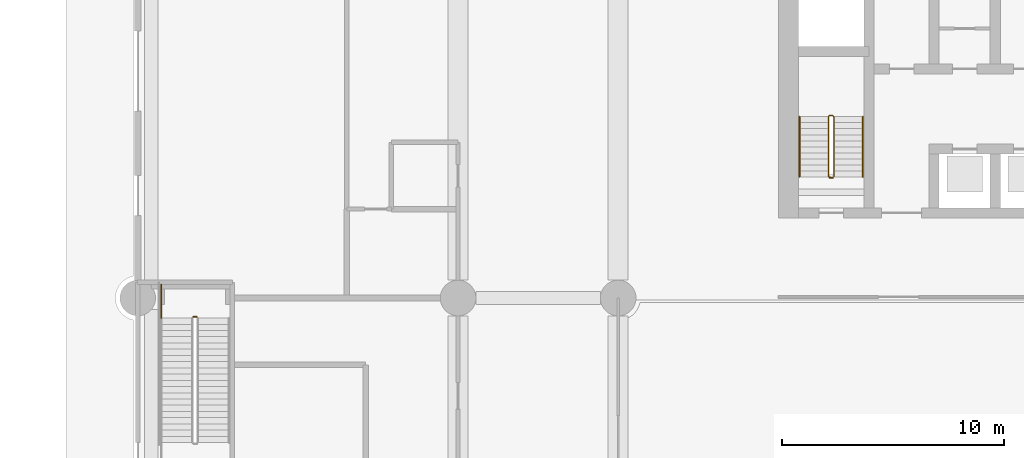
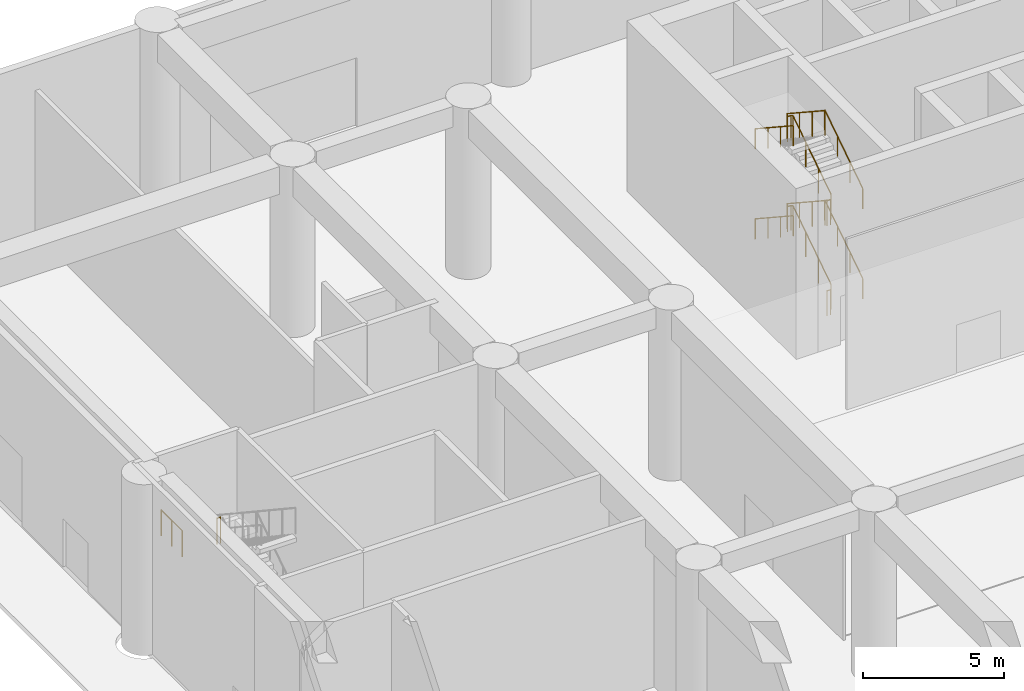
# One storey, part 29 of 32: 9 railings.
"""IFC4 building model written with IfcOpenShell, lengths in metres."""

from ifc_helpers import new_model, si_unit, direction, frame, origin, origin_2d, place, context, subcontext, project, spatial, circle, extrude, material, type_object, element, save


model = new_model("IFC4")

# Units and contexts
model_context = context("Model", 3, precision=1e-05, world=origin(), true_north=direction((0.0, 1.0)))
body_context = subcontext(model_context, "Body", "Model", "MODEL_VIEW")
ifc_project = project(units=[si_unit("LENGTHUNIT", "METRE"), si_unit("AREAUNIT", "SQUARE_METRE"), si_unit("VOLUMEUNIT", "CUBIC_METRE"), si_unit("PLANEANGLEUNIT", "RADIAN"), si_unit("MASSUNIT", "GRAM", prefix="KILO")], contexts=[model_context])

# Site, building, storey
site_placement = place(None, origin())
site = spatial("IfcSite", under=ifc_project, at=site_placement, CompositionType="ELEMENT")
building_placement = place(site_placement, origin())
building = spatial("IfcBuilding", under=site, at=building_placement, Name="Saffron Iwan Residences", CompositionType="ELEMENT")
storey_placement = place(building_placement, origin())
storey = spatial("IfcBuildingStorey", under=building, at=storey_placement, Name="L00", CompositionType="ELEMENT", Elevation=0.0)

# Railings
ifc_material_1 = material(Name="Steel S355", Category="steel")
railing_type_1 = type_object("IfcRailingType", Name="Podium stair guard 1150", PredefinedType="GUARDRAIL", material=ifc_material_1)
railing_1_placement = place(storey_placement, frame((2.64990234375, 61.550048828125, 3.89990234375)))
element("IfcRailing", 1, at=railing_1_placement, inside=storey, type_object=railing_type_1, Name="L00 PS3 stair guard 2", PredefinedType="GUARDRAIL", context=body_context, shape_type="SweptSolid", body=[
    extrude(circle(Radius=0.02392578125, at=origin_2d()), frame((0.0, 0.0, 1.1259765625), z_axis=(-1.0, 0.0, 0.0), x_axis=(0.0, -1.0, 0.0)), (0.0, 0.0, 1.0), 0.14990234375),
    extrude(circle(Radius=0.02099609375, at=origin_2d()), origin(), (0.0, 0.0, 1.0), 1.101806640625),
    extrude(circle(Radius=0.02099609375, at=origin_2d()), frame((-0.14990234375, 0.0, 0.0)), (0.0, 0.0, 1.0), 1.101806640625),
])
railing_2_placement = place(storey_placement, frame((1.050048828125, 61.5, 3.89990234375)))
element("IfcRailing", 2, at=railing_2_placement, inside=storey, type_object=railing_type_1, Name="L00 PS3 stair guard 3", PredefinedType="GUARDRAIL", context=body_context, shape_type="SweptSolid", body=[
    extrude(circle(Radius=0.02392578125, at=origin_2d()), frame((0.0, 0.0, 1.1259765625), z_axis=(0.0, 1.0, 0.0), x_axis=(-1.0, 0.0, 0.0)), (0.0, 0.0, 1.0), 1.5),
    extrude(circle(Radius=0.02099609375, at=origin_2d()), origin(), (0.0, 0.0, 1.0), 1.101806640625),
    extrude(circle(Radius=0.02099609375, at=origin_2d()), frame((0.0, 0.75, 0.0)), (0.0, 0.0, 1.0), 1.101806640625),
    extrude(circle(Radius=0.02099609375, at=origin_2d()), frame((0.0, 1.5, 0.0)), (0.0, 0.0, 1.0), 1.101806640625),
])
railing_type_2 = type_object("IfcRailingType", Name="Stair guard 1100", PredefinedType="GUARDRAIL", material=ifc_material_1)
railing_3_placement = place(storey_placement, frame((31.300048828125, 67.85009765625, 0.17724609375)))
element("IfcRailing", 3, at=railing_3_placement, inside=storey, type_object=railing_type_2, Name="L00 ST-W stair guard 1", PredefinedType="GUARDRAIL", context=body_context, shape_type="SweptSolid", body=[
    extrude(circle(Radius=0.02392578125, at=origin_2d()), frame((0.0, 0.0, 1.076171875), z_axis=(0.0, 0.835925453266, 0.548842998116), x_axis=(-1.0, 0.0, 0.0)), (0.0, 0.0, 1.0), 3.22998046875),
    extrude(circle(Radius=0.02392578125, at=origin_2d()), frame((0.0, 2.699951171875, 2.8486328125), z_axis=(-0.707106781187, 0.707106781187, 0.0), x_axis=(-0.707106781187, -0.707106781187, 0.0)), (0.0, 0.0, 1.0), 0.07080078125),
    extrude(circle(Radius=0.02392578125, at=origin_2d()), frame((-0.050048828125, 2.75, 2.8486328125), z_axis=(-1.0, 0.0, 0.0), x_axis=(0.0, -1.0, 0.0)), (0.0, 0.0, 1.0), 0.14990234375),
    extrude(circle(Radius=0.02392578125, at=origin_2d()), frame((-0.199951171875, 2.75, 2.8486328125), z_axis=(-0.262233686654, -0.262233686654, 0.928691007369), x_axis=(0.707106781187, -0.707106781187, 0.0)), (0.0, 0.0, 1.0), 0.19091796875),
    extrude(circle(Radius=0.02392578125, at=origin_2d()), frame((-0.25, 2.699951171875, 3.02587890625), z_axis=(0.0, -0.835925453266, 0.548842998116), x_axis=(1.0, 0.0, 0.0)), (0.0, 0.0, 1.0), 3.22998046875),
    extrude(circle(Radius=0.02392578125, at=origin_2d()), frame((-0.25, 0.0, 4.798828125), z_axis=(0.970072785993, -0.242814311512, 0.0), x_axis=(0.242814311512, 0.970072785993, 0.0)), (0.0, 0.0, 1.0), 0.2060546875),
    extrude(circle(Radius=0.02392578125, at=origin_2d()), frame((-0.050048828125, -0.050048828125, 4.798828125), z_axis=(-1.0, 0.0, 0.0), x_axis=(0.0, -1.0, 0.0)), (0.0, 0.0, 1.0), 0.14990234375),
    extrude(circle(Radius=0.02099609375, at=origin_2d()), origin(), (0.0, 0.0, 1.0), 1.052001953125),
    extrude(circle(Radius=0.02099609375, at=origin_2d()), frame((0.0, 0.89990234375, 0.5908203125)), (0.0, 0.0, 1.0), 1.052001953125),
    extrude(circle(Radius=0.02099609375, at=origin_2d()), frame((0.0, 1.800048828125, 1.181884765625)), (0.0, 0.0, 1.0), 1.052001953125),
    extrude(circle(Radius=0.02099609375, at=origin_2d()), frame((0.0, 2.699951171875, 1.772705078125)), (0.0, 0.0, 1.0), 1.052001953125),
    extrude(circle(Radius=0.02099609375, at=origin_2d()), frame((-0.050048828125, 2.75, 1.772705078125)), (0.0, 0.0, 1.0), 1.052001953125),
    extrude(circle(Radius=0.02099609375, at=origin_2d()), frame((-0.199951171875, 2.75, 1.772705078125)), (0.0, 0.0, 1.0), 1.052001953125),
    extrude(circle(Radius=0.02099609375, at=origin_2d()), frame((-0.25, 2.699951171875, 1.949951171875)), (0.0, 0.0, 1.0), 1.052001953125),
    extrude(circle(Radius=0.02099609375, at=origin_2d()), frame((-0.25, 1.800048828125, 2.540771484375)), (0.0, 0.0, 1.0), 1.052001953125),
    extrude(circle(Radius=0.02099609375, at=origin_2d()), frame((-0.25, 0.89990234375, 3.1318359375)), (0.0, 0.0, 1.0), 1.052001953125),
    extrude(circle(Radius=0.02099609375, at=origin_2d()), frame((-0.25, 0.0, 3.72265625)), (0.0, 0.0, 1.0), 1.052001953125),
    extrude(circle(Radius=0.02099609375, at=origin_2d()), frame((-0.050048828125, -0.050048828125, 3.72265625)), (0.0, 0.0, 1.0), 1.052001953125),
    extrude(circle(Radius=0.02099609375, at=origin_2d()), frame((-0.199951171875, -0.050048828125, 3.72265625)), (0.0, 0.0, 1.0), 1.052001953125),
])
railing_4_placement = place(storey_placement, frame((31.300048828125, 67.85009765625, 4.077392578125)))
element("IfcRailing", 4, at=railing_4_placement, inside=storey, type_object=railing_type_2, Name="L00 ST-W stair guard 2", PredefinedType="GUARDRAIL", context=body_context, shape_type="SweptSolid", body=[
    extrude(circle(Radius=0.02392578125, at=origin_2d()), frame((0.0, 0.0, 1.076171875), z_axis=(0.0, 0.835925453266, 0.548842998116), x_axis=(-1.0, 0.0, 0.0)), (0.0, 0.0, 1.0), 3.22998046875),
    extrude(circle(Radius=0.02392578125, at=origin_2d()), frame((0.0, 2.699951171875, 2.8486328125), z_axis=(-0.707106781187, 0.707106781187, 0.0), x_axis=(-0.707106781187, -0.707106781187, 0.0)), (0.0, 0.0, 1.0), 0.07080078125),
    extrude(circle(Radius=0.02392578125, at=origin_2d()), frame((-0.050048828125, 2.75, 2.8486328125), z_axis=(-1.0, 0.0, 0.0), x_axis=(0.0, -1.0, 0.0)), (0.0, 0.0, 1.0), 0.14990234375),
    extrude(circle(Radius=0.02392578125, at=origin_2d()), frame((-0.199951171875, 2.75, 2.8486328125), z_axis=(-0.262233686654, -0.262233686654, 0.928691007369), x_axis=(0.707106781187, -0.707106781187, 0.0)), (0.0, 0.0, 1.0), 0.19091796875),
    extrude(circle(Radius=0.02392578125, at=origin_2d()), frame((-0.25, 2.699951171875, 3.02587890625), z_axis=(0.0, -0.835925453266, 0.548842998116), x_axis=(1.0, 0.0, 0.0)), (0.0, 0.0, 1.0), 3.22998046875),
    extrude(circle(Radius=0.02099609375, at=origin_2d()), origin(), (0.0, 0.0, 1.0), 1.052001953125),
    extrude(circle(Radius=0.02099609375, at=origin_2d()), frame((0.0, 0.89990234375, 0.5908203125)), (0.0, 0.0, 1.0), 1.052001953125),
    extrude(circle(Radius=0.02099609375, at=origin_2d()), frame((0.0, 1.800048828125, 1.181884765625)), (0.0, 0.0, 1.0), 1.052001953125),
    extrude(circle(Radius=0.02099609375, at=origin_2d()), frame((0.0, 2.699951171875, 1.772705078125)), (0.0, 0.0, 1.0), 1.052001953125),
    extrude(circle(Radius=0.02099609375, at=origin_2d()), frame((-0.050048828125, 2.75, 1.772705078125)), (0.0, 0.0, 1.0), 1.052001953125),
    extrude(circle(Radius=0.02099609375, at=origin_2d()), frame((-0.199951171875, 2.75, 1.772705078125)), (0.0, 0.0, 1.0), 1.052001953125),
    extrude(circle(Radius=0.02099609375, at=origin_2d()), frame((-0.25, 2.699951171875, 1.949951171875)), (0.0, 0.0, 1.0), 1.052001953125),
    extrude(circle(Radius=0.02099609375, at=origin_2d()), frame((-0.25, 1.800048828125, 2.540771484375)), (0.0, 0.0, 1.0), 1.052001953125),
    extrude(circle(Radius=0.02099609375, at=origin_2d()), frame((-0.25, 0.89990234375, 3.1318359375)), (0.0, 0.0, 1.0), 1.052001953125),
    extrude(circle(Radius=0.02099609375, at=origin_2d()), frame((-0.25, 0.0, 3.72265625)), (0.0, 0.0, 1.0), 1.052001953125),
])
railing_5_placement = place(storey_placement, frame((31.25, 67.800048828125, 0.0)))
element("IfcRailing", 5, at=railing_5_placement, inside=storey, type_object=railing_type_2, Name="L00 ST-W stair guard 3", PredefinedType="GUARDRAIL", context=body_context, shape_type="SweptSolid", body=[
    extrude(circle(Radius=0.02392578125, at=origin_2d()), frame((0.0, 0.0, 1.076171875), z_axis=(-1.0, 0.0, 0.0), x_axis=(0.0, -1.0, 0.0)), (0.0, 0.0, 1.0), 0.14990234375),
    extrude(circle(Radius=0.02099609375, at=origin_2d()), origin(), (0.0, 0.0, 1.0), 1.052001953125),
    extrude(circle(Radius=0.02099609375, at=origin_2d()), frame((-0.14990234375, 0.0, 0.0)), (0.0, 0.0, 1.0), 1.052001953125),
])
ifc_material_2 = material(Name="Stainless steel 316", Category="steel")
railing_type_3 = type_object("IfcRailingType", Name="Stair handrail 900", PredefinedType="HANDRAIL", material=ifc_material_2)
railing_6_placement = place(storey_placement, frame((32.60009765625, 67.85009765625, 0.17724609375)))
element("IfcRailing", 6, at=railing_6_placement, inside=storey, type_object=railing_type_3, Name="L00 ST-W stair handrail 1", PredefinedType="HANDRAIL", context=body_context, shape_type="SweptSolid", body=[
    extrude(circle(Radius=0.02392578125, at=origin_2d()), frame((0.0, 0.0, 0.8759765625), z_axis=(0.0, 0.835925453266, 0.548842998116), x_axis=(-1.0, 0.0, 0.0)), (0.0, 0.0, 1.0), 3.22998046875),
    extrude(circle(Radius=0.02099609375, at=origin_2d()), origin(), (0.0, 0.0, 1.0), 0.851806640625),
    extrude(circle(Radius=0.02099609375, at=origin_2d()), frame((0.0, 0.89990234375, 0.5908203125)), (0.0, 0.0, 1.0), 0.851806640625),
    extrude(circle(Radius=0.02099609375, at=origin_2d()), frame((0.0, 1.800048828125, 1.181884765625)), (0.0, 0.0, 1.0), 0.851806640625),
    extrude(circle(Radius=0.02099609375, at=origin_2d()), frame((0.0, 2.699951171875, 1.772705078125)), (0.0, 0.0, 1.0), 0.851806640625),
])
railing_7_placement = place(storey_placement, frame((29.75, 70.550048828125, 2.127197265625)))
element("IfcRailing", 7, at=railing_7_placement, inside=storey, type_object=railing_type_3, Name="L00 ST-W stair handrail 2", PredefinedType="HANDRAIL", context=body_context, shape_type="SweptSolid", body=[
    extrude(circle(Radius=0.02392578125, at=origin_2d()), frame((0.0, 0.0, 0.8759765625), z_axis=(0.0, -0.835925453266, 0.548842998116), x_axis=(1.0, 0.0, 0.0)), (0.0, 0.0, 1.0), 3.22998046875),
    extrude(circle(Radius=0.02099609375, at=origin_2d()), origin(), (0.0, 0.0, 1.0), 0.851806640625),
    extrude(circle(Radius=0.02099609375, at=origin_2d()), frame((0.0, -0.89990234375, 0.5908203125)), (0.0, 0.0, 1.0), 0.851806640625),
    extrude(circle(Radius=0.02099609375, at=origin_2d()), frame((0.0, -1.800048828125, 1.181884765625)), (0.0, 0.0, 1.0), 0.851806640625),
    extrude(circle(Radius=0.02099609375, at=origin_2d()), frame((0.0, -2.699951171875, 1.772705078125)), (0.0, 0.0, 1.0), 0.851806640625),
])
railing_8_placement = place(storey_placement, frame((32.60009765625, 67.85009765625, 4.077392578125)))
element("IfcRailing", 8, at=railing_8_placement, inside=storey, type_object=railing_type_3, Name="L00 ST-W stair handrail 3", PredefinedType="HANDRAIL", context=body_context, shape_type="SweptSolid", body=[
    extrude(circle(Radius=0.02392578125, at=origin_2d()), frame((0.0, 0.0, 0.8759765625), z_axis=(0.0, 0.835925453266, 0.548842998116), x_axis=(-1.0, 0.0, 0.0)), (0.0, 0.0, 1.0), 3.22998046875),
    extrude(circle(Radius=0.02099609375, at=origin_2d()), origin(), (0.0, 0.0, 1.0), 0.851806640625),
    extrude(circle(Radius=0.02099609375, at=origin_2d()), frame((0.0, 0.89990234375, 0.5908203125)), (0.0, 0.0, 1.0), 0.851806640625),
    extrude(circle(Radius=0.02099609375, at=origin_2d()), frame((0.0, 1.800048828125, 1.181884765625)), (0.0, 0.0, 1.0), 0.851806640625),
    extrude(circle(Radius=0.02099609375, at=origin_2d()), frame((0.0, 2.699951171875, 1.772705078125)), (0.0, 0.0, 1.0), 0.851806640625),
])
railing_9_placement = place(storey_placement, frame((29.75, 70.550048828125, 6.02734375)))
element("IfcRailing", 9, at=railing_9_placement, inside=storey, type_object=railing_type_3, Name="L00 ST-W stair handrail 4", PredefinedType="HANDRAIL", context=body_context, shape_type="SweptSolid", body=[
    extrude(circle(Radius=0.02392578125, at=origin_2d()), frame((0.0, 0.0, 0.8759765625), z_axis=(0.0, -0.835925453266, 0.548842998116), x_axis=(1.0, 0.0, 0.0)), (0.0, 0.0, 1.0), 3.22998046875),
    extrude(circle(Radius=0.02099609375, at=origin_2d()), origin(), (0.0, 0.0, 1.0), 0.851806640625),
    extrude(circle(Radius=0.02099609375, at=origin_2d()), frame((0.0, -0.89990234375, 0.5908203125)), (0.0, 0.0, 1.0), 0.851806640625),
    extrude(circle(Radius=0.02099609375, at=origin_2d()), frame((0.0, -1.800048828125, 1.181884765625)), (0.0, 0.0, 1.0), 0.851806640625),
    extrude(circle(Radius=0.02099609375, at=origin_2d()), frame((0.0, -2.699951171875, 1.772705078125)), (0.0, 0.0, 1.0), 0.851806640625),
])

save(model, "model.ifc")
